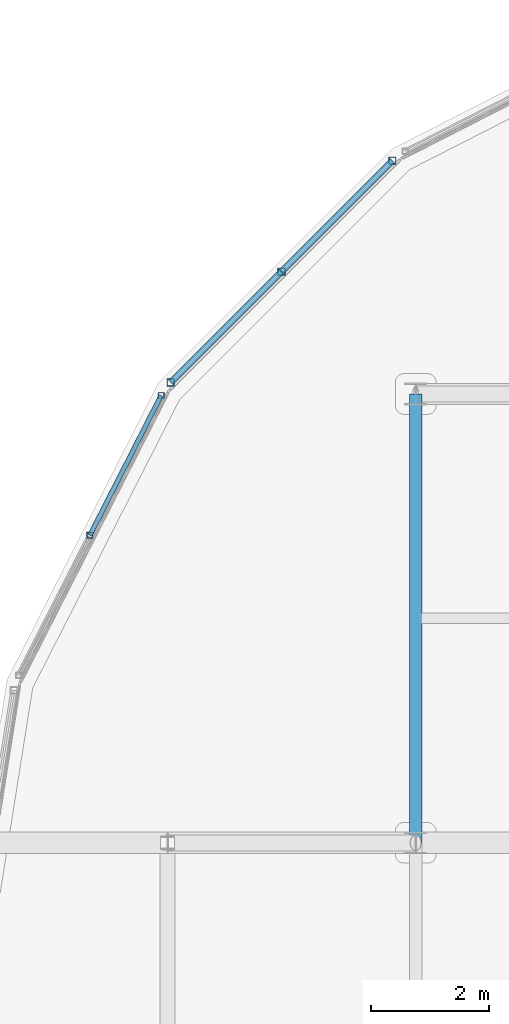
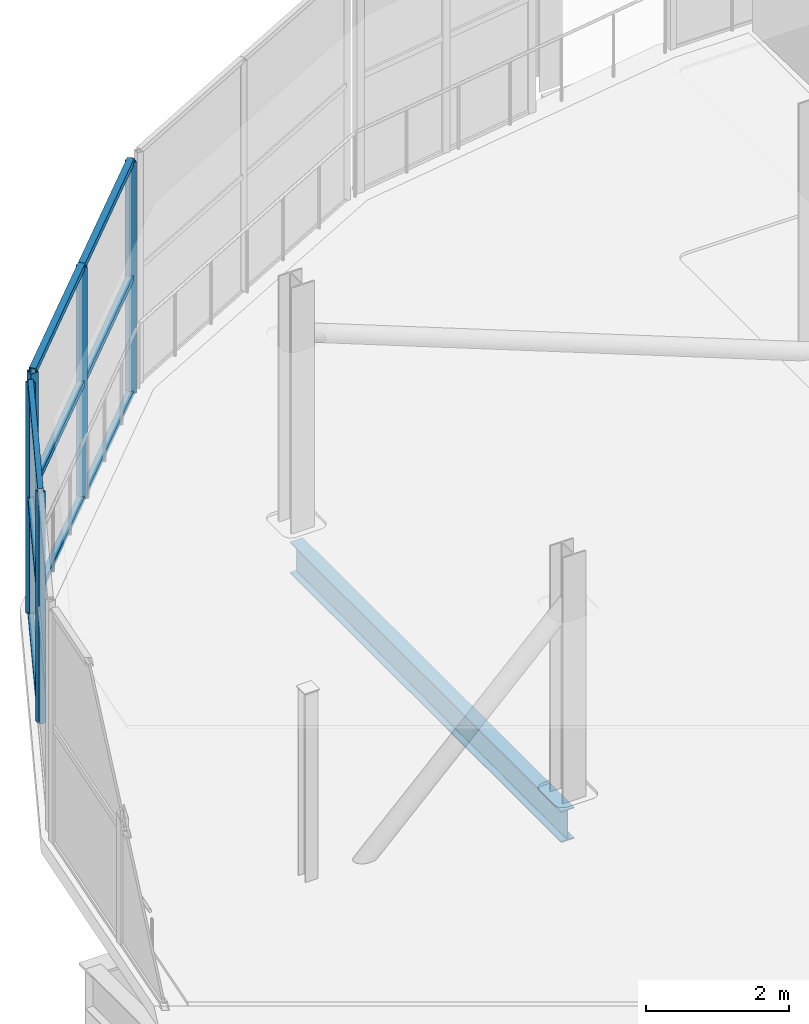
# One storey, part 51 of 217: 14 members, 1 beam, 2 elements without a shape of their own.
"""IFC4 building model written with IfcOpenShell, lengths in metres."""

from ifc_helpers import new_model, si_unit, direction, frame, origin, origin_2d, place, context, subcontext, project, spatial, hollow_rectangle, i_section, extrude, material, material_profile, profile_set, type_object, element, aggregate, save


model = new_model("IFC4")

# Units and contexts
model_context = context("Model", 3, precision=1e-05, world=origin(), true_north=direction((0.0, 1.0)))
body_context = subcontext(model_context, "Body", "Model", "MODEL_VIEW")
ifc_project = project(units=[si_unit("LENGTHUNIT", "METRE"), si_unit("AREAUNIT", "SQUARE_METRE"), si_unit("VOLUMEUNIT", "CUBIC_METRE"), si_unit("PLANEANGLEUNIT", "RADIAN"), si_unit("MASSUNIT", "GRAM", prefix="KILO")], contexts=[model_context])

# Site, building, storey
site_placement = place(None, origin())
site = spatial("IfcSite", under=ifc_project, at=site_placement, CompositionType="ELEMENT")
building_placement = place(site_placement, origin())
building = spatial("IfcBuilding", under=site, at=building_placement, Name="Zuvorla Pavilion Media Centre", CompositionType="ELEMENT")
storey_placement = place(building_placement, frame((0.0, 0.0, 9.60009765625)))
storey = spatial("IfcBuildingStorey", under=building, at=storey_placement, Name="L02", CompositionType="ELEMENT", Elevation=9.60009765625)

# Beam
ifc_material_1 = material(Name="Steel S355", Category="steel")
ifc_material_profile_1 = material_profile(ifc_material_1, i_section(OverallWidth=0.2099609375, OverallDepth=0.53662109375, WebThickness=0.0107421875, FlangeThickness=0.017333984375, FilletRadius=0.0126953125, at=origin_2d()), Name="UB 533x210x101")
ifc_profile_set_1 = profile_set([ifc_material_profile_1], Name="Steel S355")
beam_type = type_object("IfcBeamType", Name="BM-UB533", PredefinedType="BEAM", material=ifc_profile_set_1)
beam_placement = place(storey_placement, frame((16.39990234375, 74.39990234375, -0.536376953125), z_axis=(0.0, 1.0, 0.0), x_axis=(-1.0, 0.0, 0.0)))
element("IfcBeam", 1, at=beam_placement, inside=storey, type_object=beam_type, Name="L02 beam B08 894", PredefinedType="BEAM", context=body_context, shape_type="SweptSolid", body=[
    extrude(i_section(OverallWidth=0.2099609375, OverallDepth=0.53662109375, WebThickness=0.0107421875, FlangeThickness=0.017333984375, FilletRadius=0.0126953125, at=origin_2d()), origin(), (0.0, 0.0, 1.0), 7.60009765625),
])

# Curtain wall, members
ifc_material_2 = material(Name="Unitised anodised aluminium and solar glass curtain wall", Category="aluminium")
curtain_wall_type_1 = type_object("IfcCurtainWallType", Name="CW-SYS-04", PredefinedType="USERDEFINED", material=ifc_material_2)
curtain_wall_1_placement = place(storey_placement, origin())
curtain_wall_1 = element("IfcCurtainWall", 2, at=curtain_wall_1_placement, inside=storey, type_object=curtain_wall_type_1, Name="L02 curtain wall CW04 30", ObjectType="CURTAIN WALL", PredefinedType="USERDEFINED")
ifc_material_3 = material(Name="Anodised aluminium 6063-T6", Category="aluminium")
ifc_material_profile_2 = material_profile(ifc_material_3, hollow_rectangle(XDim=0.10009765625, YDim=0.10009765625, WallThickness=0.00439453125, at=origin_2d()), Name="ALU MULL 100x100")
ifc_profile_set_2 = profile_set([ifc_material_profile_2], Name="Anodised aluminium 6063-T6")
member_type_1 = type_object("IfcMemberType", Name="CW-MULL-100", PredefinedType="MULLION", material=ifc_profile_set_2)
member_1_placement = place(storey_placement, frame((12.08984375, 81.97412109375, 0.0), z_axis=(0.0, 0.0, 1.0), x_axis=(1.0, 0.0, 0.0)))
member_1 = element("IfcMember", 3, at=member_1_placement, type_object=member_type_1, Name="CW04 mullion 1", PredefinedType="MULLION", context=body_context, shape_type="SweptSolid", body=[
    extrude(hollow_rectangle(XDim=0.10009765625, YDim=0.10009765625, WallThickness=0.00439453125, at=origin_2d()), origin(), (0.0, 0.0, 1.0), 3.949951171875),
])
member_2_placement = place(storey_placement, frame((10.884033203125, 79.607666015625, 0.0), z_axis=(0.0, 0.0, 1.0), x_axis=(1.0, 0.0, 0.0)))
member_2 = element("IfcMember", 4, at=member_2_placement, type_object=member_type_1, Name="CW04 mullion 2", PredefinedType="MULLION", context=body_context, shape_type="SweptSolid", body=[
    extrude(hollow_rectangle(XDim=0.10009765625, YDim=0.10009765625, WallThickness=0.00439453125, at=origin_2d()), origin(), (0.0, 0.0, 1.0), 3.949951171875),
])

curtain_wall_type_2 = type_object("IfcCurtainWallType", Name="CW-SYS-03", PredefinedType="USERDEFINED", material=ifc_material_2)
curtain_wall_2_placement = place(storey_placement, origin())
curtain_wall_2 = element("IfcCurtainWall", 5, at=curtain_wall_2_placement, inside=storey, type_object=curtain_wall_type_2, Name="L02 curtain wall CW03 29", ObjectType="CURTAIN WALL", PredefinedType="USERDEFINED")
ifc_material_profile_3 = material_profile(ifc_material_3, hollow_rectangle(XDim=0.1201171875, YDim=0.1201171875, WallThickness=0.0048828125, at=origin_2d()), Name="ALU MULL 120x120")
ifc_profile_set_3 = profile_set([ifc_material_profile_3], Name="Anodised aluminium 6063-T6")
member_type_2 = type_object("IfcMemberType", Name="CW-MULL-120", PredefinedType="MULLION", material=ifc_profile_set_3)
member_3_placement = place(storey_placement, frame((16.005859375, 85.9501953125, 0.0), z_axis=(0.0, 0.0, 1.0), x_axis=(1.0, 0.0, 0.0)))
member_3 = element("IfcMember", 6, at=member_3_placement, type_object=member_type_2, Name="CW03 mullion 1", PredefinedType="MULLION", context=body_context, shape_type="SweptSolid", body=[
    extrude(hollow_rectangle(XDim=0.1201171875, YDim=0.1201171875, WallThickness=0.0048828125, at=origin_2d()), origin(), (0.0, 0.0, 1.0), 3.949951171875),
])
member_4_placement = place(storey_placement, frame((14.127685546875, 84.072265625, 0.0), z_axis=(0.0, 0.0, 1.0), x_axis=(1.0, 0.0, 0.0)))
member_4 = element("IfcMember", 7, at=member_4_placement, type_object=member_type_2, Name="CW03 mullion 2", PredefinedType="MULLION", context=body_context, shape_type="SweptSolid", body=[
    extrude(hollow_rectangle(XDim=0.1201171875, YDim=0.1201171875, WallThickness=0.0048828125, at=origin_2d()), origin(), (0.0, 0.0, 1.0), 3.949951171875),
])
member_5_placement = place(storey_placement, frame((12.249755859375, 82.194091796875, 0.0), z_axis=(0.0, 0.0, 1.0), x_axis=(1.0, 0.0, 0.0)))
member_5 = element("IfcMember", 8, at=member_5_placement, type_object=member_type_2, Name="CW03 mullion 3", PredefinedType="MULLION", context=body_context, shape_type="SweptSolid", body=[
    extrude(hollow_rectangle(XDim=0.1201171875, YDim=0.1201171875, WallThickness=0.0048828125, at=origin_2d()), origin(), (0.0, 0.0, 1.0), 3.949951171875),
])
ifc_material_profile_4 = material_profile(ifc_material_3, hollow_rectangle(XDim=0.10009765625, YDim=0.10009765625, WallThickness=0.00439453125, at=origin_2d()), Name="ALU TRAN 100x100")
ifc_profile_set_4 = profile_set([ifc_material_profile_4], Name="Anodised aluminium 6063-T6")
member_type_3 = type_object("IfcMemberType", Name="CW-TRAN-100", PredefinedType="USERDEFINED", material=ifc_profile_set_4)
member_6_placement = place(storey_placement, frame((16.005859375, 85.9501953125, 0.0), z_axis=(-0.707152740485, -0.707060818901, 0.0), x_axis=(0.707060818901, -0.707152740485, 0.0)))
member_6 = element("IfcMember", 9, at=member_6_placement, type_object=member_type_3, Name="CW03 transom 1.1", ObjectType="TRANSOM", PredefinedType="USERDEFINED", context=body_context, shape_type="SweptSolid", body=[
    extrude(hollow_rectangle(XDim=0.10009765625, YDim=0.10009765625, WallThickness=0.00439453125, at=origin_2d()), origin(), (0.0, 0.0, 1.0), 2.656005859375),
])
member_7_placement = place(storey_placement, frame((16.005859375, 85.9501953125, 1.974853515625), z_axis=(-0.707152740485, -0.707060818901, 0.0), x_axis=(0.707060818901, -0.707152740485, 0.0)))
member_7 = element("IfcMember", 10, at=member_7_placement, type_object=member_type_3, Name="CW03 transom 1.2", ObjectType="TRANSOM", PredefinedType="USERDEFINED", context=body_context, shape_type="SweptSolid", body=[
    extrude(hollow_rectangle(XDim=0.10009765625, YDim=0.10009765625, WallThickness=0.00439453125, at=origin_2d()), origin(), (0.0, 0.0, 1.0), 2.656005859375),
])
member_8_placement = place(storey_placement, frame((16.005859375, 85.9501953125, 3.949951171875), z_axis=(-0.707152740485, -0.707060818901, 0.0), x_axis=(0.707060818901, -0.707152740485, 0.0)))
member_8 = element("IfcMember", 11, at=member_8_placement, type_object=member_type_3, Name="CW03 transom 1.3", ObjectType="TRANSOM", PredefinedType="USERDEFINED", context=body_context, shape_type="SweptSolid", body=[
    extrude(hollow_rectangle(XDim=0.10009765625, YDim=0.10009765625, WallThickness=0.00439453125, at=origin_2d()), origin(), (0.0, 0.0, 1.0), 2.656005859375),
])
member_9_placement = place(storey_placement, frame((14.127685546875, 84.072265625, 0.0), z_axis=(-0.707060818901, -0.707152740485, 0.0), x_axis=(0.707152740485, -0.707060818901, 0.0)))
member_9 = element("IfcMember", 12, at=member_9_placement, type_object=member_type_3, Name="CW03 transom 2.1", ObjectType="TRANSOM", PredefinedType="USERDEFINED", context=body_context, shape_type="SweptSolid", body=[
    extrude(hollow_rectangle(XDim=0.10009765625, YDim=0.10009765625, WallThickness=0.00439453125, at=origin_2d()), origin(), (0.0, 0.0, 1.0), 2.656005859375),
])
member_10_placement = place(storey_placement, frame((14.127685546875, 84.072265625, 1.974853515625), z_axis=(-0.707060818901, -0.707152740485, 0.0), x_axis=(0.707152740485, -0.707060818901, 0.0)))
member_10 = element("IfcMember", 13, at=member_10_placement, type_object=member_type_3, Name="CW03 transom 2.2", ObjectType="TRANSOM", PredefinedType="USERDEFINED", context=body_context, shape_type="SweptSolid", body=[
    extrude(hollow_rectangle(XDim=0.10009765625, YDim=0.10009765625, WallThickness=0.00439453125, at=origin_2d()), origin(), (0.0, 0.0, 1.0), 2.656005859375),
])
member_11_placement = place(storey_placement, frame((14.127685546875, 84.072265625, 3.949951171875), z_axis=(-0.707060818901, -0.707152740485, 0.0), x_axis=(0.707152740485, -0.707060818901, 0.0)))
member_11 = element("IfcMember", 14, at=member_11_placement, type_object=member_type_3, Name="CW03 transom 2.3", ObjectType="TRANSOM", PredefinedType="USERDEFINED", context=body_context, shape_type="SweptSolid", body=[
    extrude(hollow_rectangle(XDim=0.10009765625, YDim=0.10009765625, WallThickness=0.00439453125, at=origin_2d()), origin(), (0.0, 0.0, 1.0), 2.656005859375),
])
aggregate(curtain_wall_2, [member_3, member_4, member_5, member_6, member_7, member_8, member_9, member_10, member_11])

# Member
ifc_material_profile_5 = material_profile(ifc_material_3, hollow_rectangle(XDim=0.080078125, YDim=0.080078125, WallThickness=0.00390625, at=origin_2d()), Name="ALU TRAN 80x80")
ifc_profile_set_5 = profile_set([ifc_material_profile_5], Name="Anodised aluminium 6063-T6")
member_type_4 = type_object("IfcMemberType", Name="CW-TRAN-80", PredefinedType="USERDEFINED", material=ifc_profile_set_5)
member_12_placement = place(storey_placement, frame((12.08984375, 81.97412109375, 0.0), z_axis=(-0.454002892375, -0.891000209717, 0.0), x_axis=(0.891000209717, -0.454002892375, 0.0)))
member_12 = element("IfcMember", 15, at=member_12_placement, type_object=member_type_4, Name="CW04 transom 1.1", ObjectType="TRANSOM", PredefinedType="USERDEFINED", context=body_context, shape_type="SweptSolid", body=[
    extrude(hollow_rectangle(XDim=0.080078125, YDim=0.080078125, WallThickness=0.00390625, at=origin_2d()), origin(), (0.0, 0.0, 1.0), 2.656005859375),
])

member_13_placement = place(storey_placement, frame((12.08984375, 81.97412109375, 1.974853515625), z_axis=(-0.454002892375, -0.891000209717, 0.0), x_axis=(0.891000209717, -0.454002892375, 0.0)))
member_13 = element("IfcMember", 16, at=member_13_placement, type_object=member_type_4, Name="CW04 transom 1.2", ObjectType="TRANSOM", PredefinedType="USERDEFINED", context=body_context, shape_type="SweptSolid", body=[
    extrude(hollow_rectangle(XDim=0.080078125, YDim=0.080078125, WallThickness=0.00390625, at=origin_2d()), origin(), (0.0, 0.0, 1.0), 2.656005859375),
])

member_14_placement = place(storey_placement, frame((12.08984375, 81.97412109375, 3.949951171875), z_axis=(-0.454002892375, -0.891000209717, 0.0), x_axis=(0.891000209717, -0.454002892375, 0.0)))
member_14 = element("IfcMember", 17, at=member_14_placement, type_object=member_type_4, Name="CW04 transom 1.3", ObjectType="TRANSOM", PredefinedType="USERDEFINED", context=body_context, shape_type="SweptSolid", body=[
    extrude(hollow_rectangle(XDim=0.080078125, YDim=0.080078125, WallThickness=0.00390625, at=origin_2d()), origin(), (0.0, 0.0, 1.0), 2.656005859375),
])

aggregate(curtain_wall_1, [member_1, member_2, member_12, member_13, member_14])

save(model, "model.ifc")
